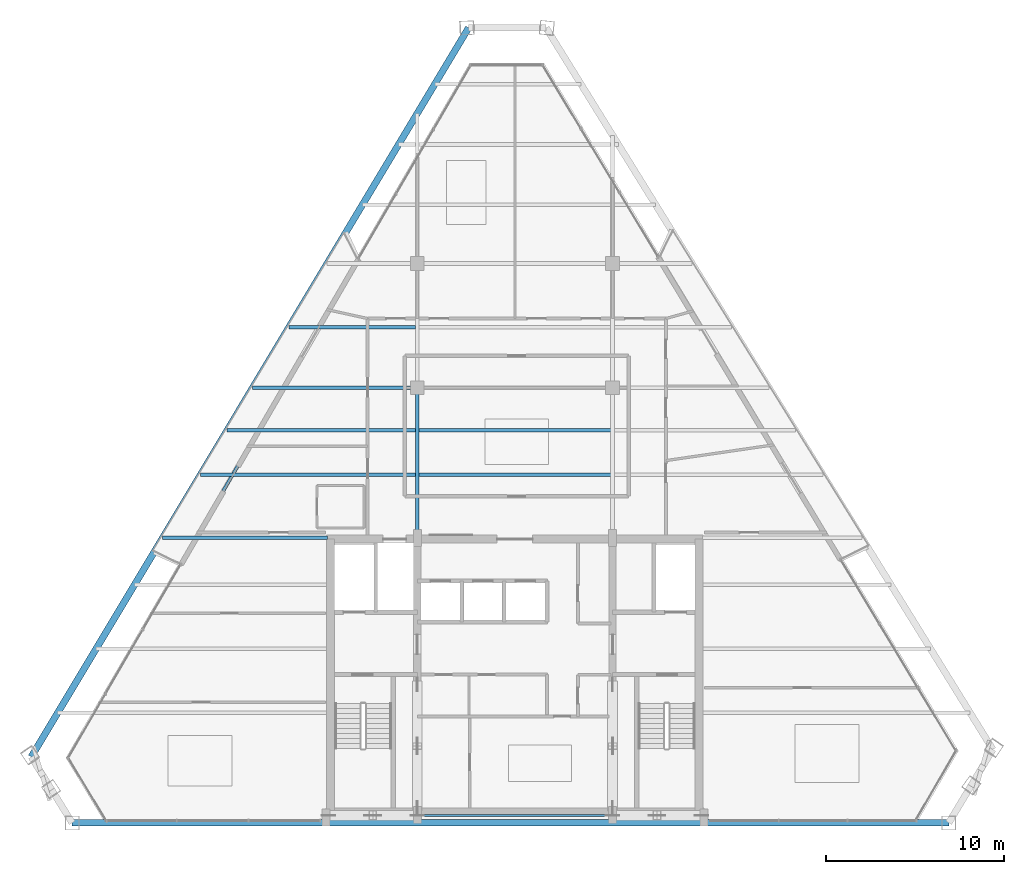
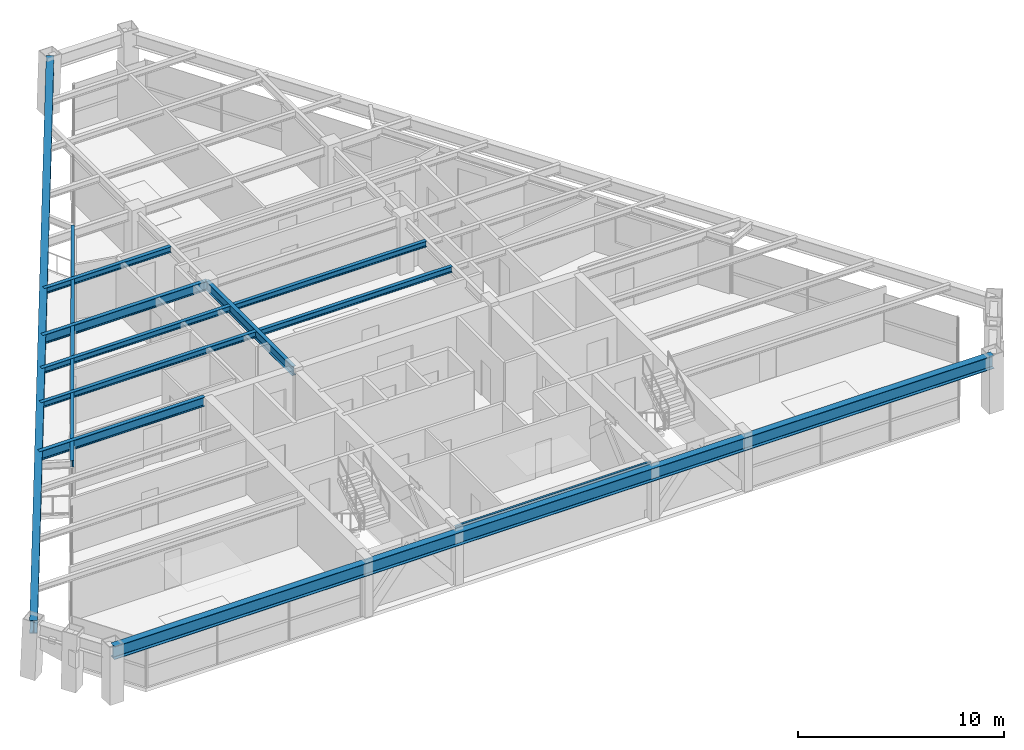
# One storey, part 3 of 13: 12 beams.
"""IFC4 building model written with IfcOpenShell, lengths in metres."""

from ifc_helpers import new_model, si_unit, direction, frame, origin, origin_2d, place, context, subcontext, project, spatial, i_section, extrude, source, transform, mapped, material, material_profile, profile_set, type_object, type_shapes, element, save


model = new_model("IFC4")

# Units and contexts
model_context = context("Model", 3, precision=1e-05, world=origin(), true_north=direction((0.0, 1.0)))
body_context = subcontext(model_context, "Body", "Model", "MODEL_VIEW")
ifc_project = project(units=[si_unit("LENGTHUNIT", "METRE"), si_unit("AREAUNIT", "SQUARE_METRE"), si_unit("VOLUMEUNIT", "CUBIC_METRE"), si_unit("PLANEANGLEUNIT", "RADIAN"), si_unit("MASSUNIT", "GRAM", prefix="KILO")], contexts=[model_context])

# Site, building, storey
site_placement = place(None, origin())
site = spatial("IfcSite", under=ifc_project, at=site_placement, CompositionType="ELEMENT")
building_placement = place(site_placement, origin())
building = spatial("IfcBuilding", under=site, at=building_placement, Name="Varnakhor Terracotta Tower", CompositionType="ELEMENT")
storey_placement = place(building_placement, frame((0.0, 0.0, 262.64990234375)))
storey = spatial("IfcBuildingStorey", under=building, at=storey_placement, Name="L68", CompositionType="ELEMENT", Elevation=262.64990234375)

# Beams
ifc_material = material(Name="Steel S355", Category="steel")
ifc_material_profile_1 = material_profile(ifc_material, i_section(OverallWidth=0.1201171875, OverallDepth=0.239990234375, WebThickness=0.006103515625, FlangeThickness=0.009765625, FilletRadius=0.01806640625, at=origin_2d()), Name="IPE240")
ifc_profile_set_1 = profile_set([ifc_material_profile_1], Name="Steel S355")
beam_type_1 = type_object("IfcBeamType", Name="LNT-IPE240", PredefinedType="LINTEL", material=ifc_profile_set_1)
shared_shape_1 = source(origin(), body_context, "Body", "SweptSolid", [
    extrude(i_section(OverallWidth=0.1201171875, OverallDepth=0.239990234375, WebThickness=0.006103515625, FlangeThickness=0.009765625, FilletRadius=0.01806640625, at=origin_2d()), origin(), (0.0, 0.0, 1.0), 11.0),
])
type_shapes(beam_type_1, [shared_shape_1])
beam_1_placement = place(storey_placement, frame((-5.5, 0.419921875, 3.1201171875), z_axis=(1.0, 0.0, 0.0), x_axis=(0.0, 1.0, 0.0)))
element("IfcBeam", 1, at=beam_1_placement, inside=storey, type_object=beam_type_1, Name="L68 Core South Coupling Lintel", PredefinedType="LINTEL", context=body_context, shape_type="MappedRepresentation", body=[
    mapped(shared_shape_1, transform((0.0, 0.0, 0.0), scale=1.0)),
])
ifc_material_profile_2 = material_profile(ifc_material, i_section(OverallWidth=0.214111328125, OverallDepth=0.549072265625, WebThickness=0.014892578125, FlangeThickness=0.02392578125, FilletRadius=0.01806640625, at=origin_2d()), Name="W21X93")
ifc_profile_set_2 = profile_set([ifc_material_profile_2], Name="Steel S355")
beam_type_2 = type_object("IfcBeamType", Name="BM-W21X93", PredefinedType="BEAM", material=ifc_profile_set_2)
shared_shape_2 = source(origin(), body_context, "Body", "SweptSolid", [
    extrude(i_section(OverallWidth=0.214111328125, OverallDepth=0.549072265625, WebThickness=0.014892578125, FlangeThickness=0.02392578125, FilletRadius=0.01806640625, at=origin_2d()), origin(), (0.0, 0.0, 1.0), 8.449951171875),
])
type_shapes(beam_type_2, [shared_shape_2])
beam_2_placement = place(storey_placement, frame((-5.5, 16.050048828125, 2.965576171875), z_axis=(0.0, 1.0, 0.0), x_axis=(-1.0, 0.0, 0.0)))
element("IfcBeam", 2, at=beam_2_placement, inside=storey, type_object=beam_type_2, Name="L68 Primary Girder NS1-W", PredefinedType="BEAM", context=body_context, shape_type="MappedRepresentation", body=[
    mapped(shared_shape_2, transform((0.0, 0.0, 0.0), scale=1.0)),
])
ifc_material_profile_3 = material_profile(ifc_material, i_section(OverallWidth=0.202880859375, OverallDepth=0.346923828125, WebThickness=0.0078125, FlangeThickness=0.013427734375, FilletRadius=0.01806640625, at=origin_2d()), Name="W14X43")
ifc_profile_set_3 = profile_set([ifc_material_profile_3], Name="Steel S355")
beam_type_3 = type_object("IfcBeamType", Name="JST-W14X43", PredefinedType="JOIST", material=ifc_profile_set_3)
shared_shape_3 = source(origin(), body_context, "Body", "SweptSolid", [
    extrude(i_section(OverallWidth=0.202880859375, OverallDepth=0.346923828125, WebThickness=0.0078125, FlangeThickness=0.013427734375, FilletRadius=0.01806640625, at=origin_2d()), origin(), (0.0, 0.0, 1.0), 10.7939453125),
])
for number, where, z_axis, x_axis, name in (
    (3, (-5.39697265625, 19.60009765625, 3.066650390625), (1.0, 0.0, 0.0), (0.0, 1.0, 0.0), "L68 Composite Floor Joist 4-2"),
    (4, (-5.39697265625, 22.10009765625, 3.066650390625), (1.0, 0.0, 0.0), (0.0, 1.0, 0.0), "L68 Composite Floor Joist 5-2"),
):
    element("IfcBeam", number, at=place(storey_placement, frame(where, z_axis=z_axis, x_axis=x_axis)), inside=storey, type_object=beam_type_3, Name=name, PredefinedType="JOIST", context=body_context, shape_type="MappedRepresentation", body=[
        mapped(shared_shape_3, transform((0.0, 0.0, 0.0), scale=1.0)),
    ])
ifc_material_profile_4 = material_profile(ifc_material, i_section(OverallWidth=0.381103515625, OverallDepth=0.77294921875, WebThickness=0.01708984375, FlangeThickness=0.027099609375, FilletRadius=0.01806640625, at=origin_2d()), Name="W30X173")
ifc_profile_set_4 = profile_set([ifc_material_profile_4], Name="Steel S355")
beam_type_4 = type_object("IfcBeamType", Name="BM-W30X173", PredefinedType="BEAM", material=ifc_profile_set_4)
shared_shape_4 = source(origin(), body_context, "Body", "SweptSolid", [
    extrude(i_section(OverallWidth=0.381103515625, OverallDepth=0.77294921875, WebThickness=0.01708984375, FlangeThickness=0.027099609375, FilletRadius=0.01806640625, at=origin_2d()), origin(), (0.0, 0.0, 1.0), 49.366943359375),
])
beam_3_placement = place(storey_placement, frame((-24.9365234375, 0.0, 2.853515625), z_axis=(1.0, 0.0, 0.0), x_axis=(0.0, 1.0, 0.0)))
element("IfcBeam", 5, at=beam_3_placement, inside=storey, type_object=beam_type_4, Name="L68 Perimeter Spandrel 1", PredefinedType="BEAM", context=body_context, shape_type="MappedRepresentation", body=[
    mapped(shared_shape_4, transform((0.0, 0.0, 0.0), scale=1.0)),
])
shared_shape_5 = source(origin(), body_context, "Body", "SweptSolid", [
    extrude(i_section(OverallWidth=0.381103515625, OverallDepth=0.77294921875, WebThickness=0.01708984375, FlangeThickness=0.027099609375, FilletRadius=0.01806640625, at=origin_2d()), origin(), (0.0, 0.0, 1.0), 47.875244140625),
])
beam_4_placement = place(storey_placement, frame((-2.60986328125, 44.772216796875, 2.853515625), z_axis=(-0.514418510711, -0.857539267811, 0.0), x_axis=(0.857539267811, -0.514418510711, 0.0)))
element("IfcBeam", 6, at=beam_4_placement, inside=storey, type_object=beam_type_4, Name="L68 Perimeter Spandrel 6", PredefinedType="BEAM", context=body_context, shape_type="MappedRepresentation", body=[
    mapped(shared_shape_5, transform((0.0, 0.0, 0.0), scale=1.0)),
])
ifc_material_profile_5 = material_profile(ifc_material, i_section(OverallWidth=0.179931640625, OverallDepth=0.39990234375, WebThickness=0.008544921875, FlangeThickness=0.013427734375, FilletRadius=0.01806640625, at=origin_2d()), Name="IPE400")
ifc_profile_set_5 = profile_set([ifc_material_profile_5], Name="Steel S355")
beam_type_5 = type_object("IfcBeamType", Name="JST-IPE400", PredefinedType="JOIST", material=ifc_profile_set_5)
shared_shape_6 = source(origin(), body_context, "Body", "SweptSolid", [
    extrude(i_section(OverallWidth=0.179931640625, OverallDepth=0.39990234375, WebThickness=0.008544921875, FlangeThickness=0.013427734375, FilletRadius=0.01806640625, at=origin_2d()), origin(), (0.0, 0.0, 1.0), 19.955810546875),
])
beam_5_placement = place(storey_placement, frame((-8.81982421875, 31.797119140625, 3.0400390625), z_axis=(-0.501831784852, -0.86496523613, 0.0), x_axis=(0.86496523613, -0.501831784852, 0.0)))
element("IfcBeam", 7, at=beam_5_placement, inside=storey, type_object=beam_type_5, Name="L68 Loggia Edge Beam 2", PredefinedType="JOIST", context=body_context, shape_type="MappedRepresentation", body=[
    mapped(shared_shape_6, transform((0.0, 0.0, 0.0), scale=1.0)),
])
shared_shape_7 = source(origin(), body_context, "Body", "SweptSolid", [
    extrude(i_section(OverallWidth=0.214111328125, OverallDepth=0.549072265625, WebThickness=0.014892578125, FlangeThickness=0.02392578125, FilletRadius=0.01806640625, at=origin_2d()), origin(), (0.0, 0.0, 1.0), 9.28955078125),
])
beam_6_placement = place(storey_placement, frame((-19.839599609375, 16.050048828125, 2.965576171875), z_axis=(1.0, 0.0, 0.0), x_axis=(0.0, 1.0, 0.0)))
element("IfcBeam", 8, at=beam_6_placement, inside=storey, type_object=beam_type_2, Name="L68 Wing Girder W", PredefinedType="BEAM", context=body_context, shape_type="MappedRepresentation", body=[
    mapped(shared_shape_7, transform((0.0, 0.0, 0.0), scale=1.0)),
])
shared_shape_8 = source(origin(), body_context, "Body", "SweptSolid", [
    extrude(i_section(OverallWidth=0.214111328125, OverallDepth=0.549072265625, WebThickness=0.014892578125, FlangeThickness=0.02392578125, FilletRadius=0.01806640625, at=origin_2d()), origin(), (0.0, 0.0, 1.0), 9.270751953125),
])
beam_7_placement = place(storey_placement, frame((-14.770751953125, 24.5, 2.965576171875), z_axis=(1.0, 0.0, 0.0), x_axis=(0.0, 1.0, 0.0)))
element("IfcBeam", 9, at=beam_7_placement, inside=storey, type_object=beam_type_2, Name="L68 Primary Girder EW2-1", PredefinedType="BEAM", context=body_context, shape_type="MappedRepresentation", body=[
    mapped(shared_shape_8, transform((0.0, 0.0, 0.0), scale=1.0)),
])
shared_shape_9 = source(origin(), body_context, "Body", "SweptSolid", [
    extrude(i_section(OverallWidth=0.202880859375, OverallDepth=0.346923828125, WebThickness=0.0078125, FlangeThickness=0.013427734375, FilletRadius=0.01806640625, at=origin_2d()), origin(), (0.0, 0.0, 1.0), 12.107177734375),
])
beam_8_placement = place(storey_placement, frame((-17.710205078125, 19.60009765625, 3.066650390625), z_axis=(1.0, 0.0, 0.0), x_axis=(0.0, 1.0, 0.0)))
element("IfcBeam", 10, at=beam_8_placement, inside=storey, type_object=beam_type_3, Name="L68 Composite Floor Joist 4-1", PredefinedType="JOIST", context=body_context, shape_type="MappedRepresentation", body=[
    mapped(shared_shape_9, transform((0.0, 0.0, 0.0), scale=1.0)),
])
shared_shape_10 = source(origin(), body_context, "Body", "SweptSolid", [
    extrude(i_section(OverallWidth=0.202880859375, OverallDepth=0.346923828125, WebThickness=0.0078125, FlangeThickness=0.013427734375, FilletRadius=0.01806640625, at=origin_2d()), origin(), (0.0, 0.0, 1.0), 10.607421875),
])
beam_9_placement = place(storey_placement, frame((-16.21044921875, 22.10009765625, 3.066650390625), z_axis=(1.0, 0.0, 0.0), x_axis=(0.0, 1.0, 0.0)))
element("IfcBeam", 11, at=beam_9_placement, inside=storey, type_object=beam_type_3, Name="L68 Composite Floor Joist 5-1", PredefinedType="JOIST", context=body_context, shape_type="MappedRepresentation", body=[
    mapped(shared_shape_10, transform((0.0, 0.0, 0.0), scale=1.0)),
])
shared_shape_11 = source(origin(), body_context, "Body", "SweptSolid", [
    extrude(i_section(OverallWidth=0.202880859375, OverallDepth=0.346923828125, WebThickness=0.0078125, FlangeThickness=0.013427734375, FilletRadius=0.01806640625, at=origin_2d()), origin(), (0.0, 0.0, 1.0), 7.128173828125),
])
beam_10_placement = place(storey_placement, frame((-12.731201171875, 27.89990234375, 3.066650390625), z_axis=(1.0, 0.0, 0.0), x_axis=(0.0, 1.0, 0.0)))
element("IfcBeam", 12, at=beam_10_placement, inside=storey, type_object=beam_type_3, Name="L68 Composite Floor Joist 6-1", PredefinedType="JOIST", context=body_context, shape_type="MappedRepresentation", body=[
    mapped(shared_shape_11, transform((0.0, 0.0, 0.0), scale=1.0)),
])

save(model, "model.ifc")
